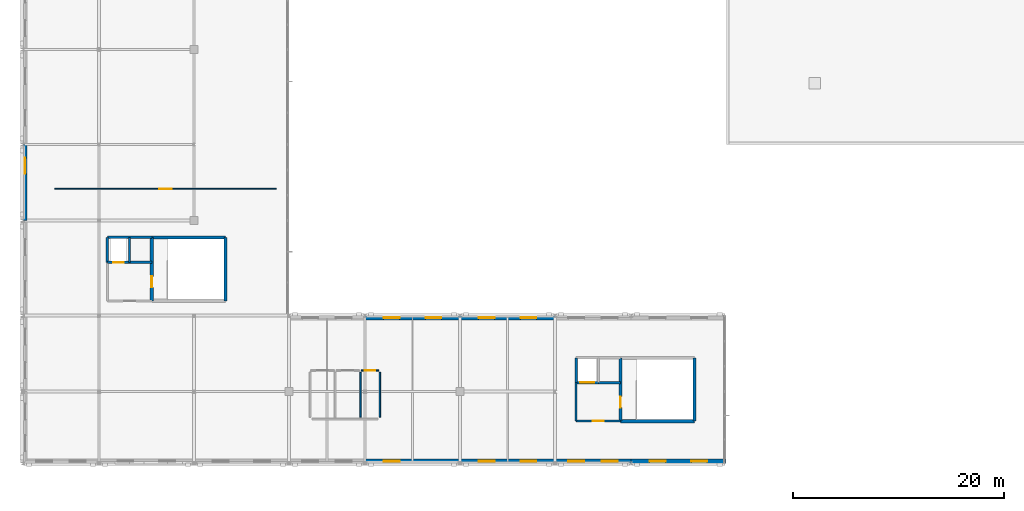
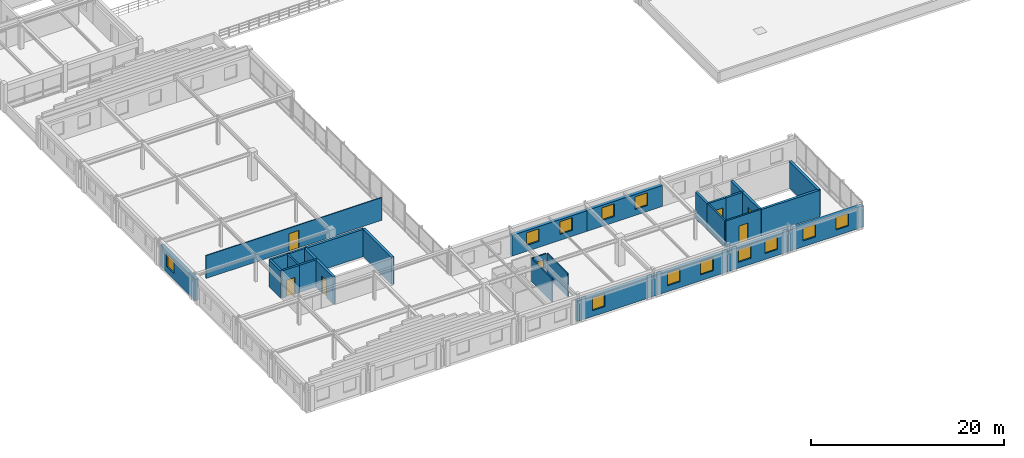
# One storey, part 47 of 74: 27 walls, 12 windows, 7 doors, 19 openings.
"""IFC4 building model written with IfcOpenShell, lengths in metres."""

import ifcopenshell
import ifcopenshell.guid

model = None  # the IFC model being written
_history = None  # IfcOwnerHistory: only IFC2X3 demands one
_inside = {}  # id of a spatial element -> (the spatial element, [elements in it])
_under = {}  # id of a project, library or spatial element -> (it, [spatial elements below it])
_declared = {}  # id of a project -> (the project, [libraries it declares])
_typed = {}  # id of a type object -> (the type object, [elements of that type])
_made_of = {}  # id of a material, layer set ... -> (it, [elements and type objects made of it])


def new_model(schema):
    """Start an empty IFC model of exactly this schema.

    Asked for "IFC4X3", IfcOpenShell would pick the latest addendum, in which some entities
    have other attributes; the version numbers below select the first issue.
    IFC2X3 requires an IfcOwnerHistory on every rooted entity: one is made here for all.
    """
    global model, _history
    if schema == "IFC4X3":
        model = ifcopenshell.file(schema_version=(4, 3, 0, 0))
    else:
        model = ifcopenshell.file(schema=schema)
    _inside.clear()
    _under.clear()
    _declared.clear()
    _typed.clear()
    _made_of.clear()
    _history = None
    if model.schema == "IFC2X3":
        org = make("IfcOrganization", Name="unknown")
        user = make(
            "IfcPersonAndOrganization",
            ThePerson=make("IfcPerson", FamilyName="unknown"),
            TheOrganization=org,
        )
        app = make(
            "IfcApplication",
            ApplicationDeveloper=org,
            Version="unknown",
            ApplicationFullName="unknown",
            ApplicationIdentifier="unknown",
        )
        _history = make(
            "IfcOwnerHistory",
            OwningUser=user,
            OwningApplication=app,
            ChangeAction="ADDED",
            CreationDate=0,
        )
    return model


def make(cls, **values):
    """One entity of the class cls with the attributes given. An attribute that is None is left unset."""
    return model.create_entity(
        cls, **{name: value for name, value in values.items() if value is not None}
    )


def rooted(cls, **values):
    """An entity with a GlobalId (a new one), such as an element, a storey or a relation."""
    return make(cls, GlobalId=ifcopenshell.guid.new(), OwnerHistory=_history, **values)


def si_unit(unit_type, name, prefix=None):
    """IfcSIUnit, for example si_unit("LENGTHUNIT", "METRE", prefix="MILLI")."""
    return make("IfcSIUnit", UnitType=unit_type, Prefix=prefix, Name=name)


def assignment(units):
    """IfcUnitAssignment: the units of a project."""
    return None if units is None else make("IfcUnitAssignment", Units=units)


def point(xyz):
    """IfcCartesianPoint."""
    return None if xyz is None else make("IfcCartesianPoint", Coordinates=xyz)


def direction(xyz):
    """IfcDirection."""
    return None if xyz is None else make("IfcDirection", DirectionRatios=xyz)


def frame(location, z_axis=None, x_axis=None):
    """IfcAxis2Placement3D, a coordinate frame: its origin and axes. An axis left out is left unset."""
    return make(
        "IfcAxis2Placement3D",
        Location=point(location),
        Axis=direction(z_axis),
        RefDirection=direction(x_axis),
    )


def frame_2d(location, x_axis=None):
    """IfcAxis2Placement2D, a coordinate frame in the plane: its origin and x axis."""
    return make(
        "IfcAxis2Placement2D", Location=point(location), RefDirection=direction(x_axis)
    )


def origin():
    """The frame at (0, 0, 0) with its axes left unset."""
    return frame((0.0, 0.0, 0.0))


def place(relative_to, where):
    """IfcLocalPlacement: puts the frame where relative to a parent placement (None: the world)."""
    return make(
        "IfcLocalPlacement", PlacementRelTo=relative_to, RelativePlacement=where
    )


def context(
    kind, dimensions, precision=None, world=None, true_north=None, identifier=None
):
    """IfcGeometricRepresentationContext, for example the 3D "Model" context."""
    return make(
        "IfcGeometricRepresentationContext",
        ContextIdentifier=identifier,
        ContextType=kind,
        CoordinateSpaceDimension=dimensions,
        Precision=precision,
        WorldCoordinateSystem=world,
        TrueNorth=true_north,
    )


def subcontext(parent, identifier, kind, view, scale=None):
    """IfcGeometricRepresentationSubContext, for example "Body" below "Model"."""
    return make(
        "IfcGeometricRepresentationSubContext",
        ContextIdentifier=identifier,
        ContextType=kind,
        ParentContext=parent,
        TargetScale=scale,
        TargetView=view,
    )


def project(units=None, contexts=None):
    """IfcProject with its units and contexts."""
    return rooted(
        "IfcProject",
        Name="project",
        RepresentationContexts=contexts,
        UnitsInContext=assignment(units),
    )


def spatial(cls, under=None, at=None, **own):
    """A site, building, storey or space (cls), placed at a placement, below another one or the project."""
    s = rooted(cls, ObjectPlacement=at, **own)
    if under is not None:
        _under.setdefault(under.id(), (under, []))[1].append(s)
    return s


def profile(cls, at=None, kind="AREA", **sizes):
    """A parametric profile (cls). Its sizes go by their IFC names, for example OverallWidth=200.0."""
    return make(cls, ProfileType=kind, Position=at, **sizes)


def rectangle(**sizes):
    """IfcRectangleProfileDef."""
    return profile("IfcRectangleProfileDef", **sizes)


def extrude(swept, where, along, depth):
    """IfcExtrudedAreaSolid: the profile swept, set in the frame where, extruded along a direction by depth."""
    return make(
        "IfcExtrudedAreaSolid",
        SweptArea=swept,
        Position=where,
        ExtrudedDirection=direction(along),
        Depth=depth,
    )


def shape(context_of_items, identifier, shape_type, items):
    """IfcShapeRepresentation: the items that make up one representation, for example the "Body"."""
    return make(
        "IfcShapeRepresentation",
        ContextOfItems=context_of_items,
        RepresentationIdentifier=identifier,
        RepresentationType=shape_type,
        Items=items,
    )


def material(Name=None, Category=None):
    """IfcMaterial."""
    return make("IfcMaterial", Name=Name, Category=Category)


def layer(
    of_material, thickness, ventilated=None, Name=None, Category=None, Priority=None
):
    """IfcMaterialLayer: one layer of a wall or slab, of a material (None: an air gap)."""
    return make(
        "IfcMaterialLayer",
        Material=of_material,
        LayerThickness=thickness,
        IsVentilated=ventilated,
        Name=Name,
        Category=Category,
        Priority=Priority,
    )


def layer_set(layers, Name=None):
    """IfcMaterialLayerSet."""
    return make("IfcMaterialLayerSet", MaterialLayers=layers, LayerSetName=Name)


def made_of(thing, what):
    """Note that an element or type object is made of a material, layer set ...; save() writes the relation."""
    if what is not None:
        _made_of.setdefault(what.id(), (what, []))[1].append(thing)
    return thing


def type_object(cls, material=None, **own):
    """A type object (cls), such as IfcWallType, which elements share."""
    return made_of(rooted(cls, **own), material)


def element(
    cls,
    number,
    at=None,
    inside=None,
    cuts=None,
    type_object=None,
    material=None,
    context=None,
    identifier="Body",
    shape_type=None,
    held_by="IfcProductDefinitionShape",
    body=None,
    shapes=None,
    **own,
):
    """One element of the class cls, such as IfcWall. Its Tag is "e" and its number.

    at: its placement. inside: the storey or other place that contains it. cuts: it is an
    opening in that element (IfcRelVoidsElement). A single representation is given by context,
    identifier, shape_type and body (its items); several are given by shapes. held_by: the class
    of the entity that holds the representations. save() writes the other relations.
    """
    e = rooted(cls, Tag="e%d" % number, ObjectPlacement=at, **own)
    if body is not None:
        shapes = [shape(context, identifier, shape_type, body)]
    if shapes is not None:
        e.Representation = make(held_by, Representations=shapes)
    if inside is not None:
        _inside.setdefault(inside.id(), (inside, []))[1].append(e)
    if cuts is not None:
        rooted(
            "IfcRelVoidsElement", RelatingBuildingElement=cuts, RelatedOpeningElement=e
        )
    if type_object is not None:
        _typed.setdefault(type_object.id(), (type_object, []))[1].append(e)
    return made_of(e, material)


def fill(opening, filler):
    """IfcRelFillsElement: the door or window that sits in an opening."""
    return rooted(
        "IfcRelFillsElement",
        RelatingOpeningElement=opening,
        RelatedBuildingElement=filler,
    )


def aggregate(whole, parts):
    """IfcRelAggregates: a whole, such as a stair, and the parts it consists of."""
    return rooted("IfcRelAggregates", RelatingObject=whole, RelatedObjects=parts)


def save(model, path):
    """Write the relations noted so far, then the file.

    IfcRelAggregates (storeys below a building ...), IfcRelContainedInSpatialStructure (elements
    in a storey), IfcRelDefinesByType, IfcRelAssociatesMaterial and IfcRelDeclares: one each for
    every whole, place, type object, material and project.
    """
    for whole, parts in _under.values():
        aggregate(whole, parts)
    for where, things in _inside.values():
        rooted(
            "IfcRelContainedInSpatialStructure",
            RelatedElements=things,
            RelatingStructure=where,
        )
    for kind, things in _typed.values():
        rooted("IfcRelDefinesByType", RelatedObjects=things, RelatingType=kind)
    for what, things in _made_of.values():
        rooted("IfcRelAssociatesMaterial", RelatedObjects=things, RelatingMaterial=what)
    for by, libraries in _declared.values():
        rooted("IfcRelDeclares", RelatingContext=by, RelatedDefinitions=libraries)
    model.write(path)


model = new_model("IFC4")

# Units and contexts
model_context = context("Model", 3, precision=1e-05, world=origin(), true_north=direction((0.0, 1.0)))
body_context = subcontext(model_context, "Body", "Model", "MODEL_VIEW")
ifc_project = project(units=[si_unit("LENGTHUNIT", "METRE"), si_unit("AREAUNIT", "SQUARE_METRE"), si_unit("VOLUMEUNIT", "CUBIC_METRE"), si_unit("PLANEANGLEUNIT", "RADIAN"), si_unit("MASSUNIT", "GRAM", prefix="KILO")], contexts=[model_context])

# Site, building, storey
site_placement = place(None, origin())
site = spatial("IfcSite", under=ifc_project, at=site_placement, CompositionType="ELEMENT")
building_placement = place(site_placement, origin())
building = spatial("IfcBuilding", under=site, at=building_placement, Name="Clarverna Civic Hall", CompositionType="ELEMENT")
storey_placement = place(building_placement, frame((0.0, 0.0, 13.199951171875)))
storey = spatial("IfcBuildingStorey", under=building, at=storey_placement, Name="L03", CompositionType="ELEMENT", Elevation=13.199951171875)

# Wall, openings, windows
ifc_material_1 = material(Name="Montjuic Limestone Ashlar Cladding", Category="masonry")
ifc_layer_1 = layer(ifc_material_1, 0.39990234375)
ifc_layer_set_1 = layer_set([ifc_layer_1], Name="Montjuic Limestone Ashlar Cladding")
wall_type_1 = type_object("IfcWallType", Name="EW-02", PredefinedType="SOLIDWALL", material=ifc_layer_set_1)
wall_1_placement = place(storey_placement, frame((66.574951171875, 0.199951171875, 0.0), z_axis=(0.0, 0.0, 1.0), x_axis=(-1.0, 0.0, 0.0)))
wall_1 = element("IfcWall", 1, at=wall_1_placement, inside=storey, type_object=wall_type_1, Name="EW-02-192", PredefinedType="SOLIDWALL", context=body_context, shape_type="SweptSolid", body=[
    extrude(rectangle(XDim=8.974853515625, YDim=0.39990234375, at=frame_2d((4.4873046875, 0.0))), origin(), (0.0, 0.0, 1.0), 2.719970703125),
])
opening_1_placement = place(wall_1_placement, frame((1.762939453125, 0.0, 0.75)))
opening_1 = element("IfcOpeningElement", 2, at=opening_1_placement, cuts=wall_1, Name="Opening WN-14", PredefinedType="OPENING", context=body_context, shape_type="SweptSolid", body=[
    extrude(rectangle(XDim=1.5, YDim=1.60009765625, at=frame_2d((0.75, 0.800048828125))), frame((0.0, 0.2099609375, 0.0), z_axis=(0.0, -1.0, 0.0), x_axis=(1.0, 0.0, 0.0)), (0.0, 0.0, 1.0), 0.419921875),
])
opening_2_placement = place(wall_1_placement, frame((5.7119140625, 0.0, 0.75)))
opening_2 = element("IfcOpeningElement", 3, at=opening_2_placement, cuts=wall_1, Name="Opening WN-14", PredefinedType="OPENING", context=body_context, shape_type="SweptSolid", body=[
    extrude(rectangle(XDim=1.5, YDim=1.60009765625, at=frame_2d((0.75, 0.800048828125))), frame((0.0, 0.2099609375, 0.0), z_axis=(0.0, -1.0, 0.0), x_axis=(1.0, 0.0, 0.0)), (0.0, 0.0, 1.0), 0.419921875),
])
ifc_material_2 = material(Name="Solar-Control Argon Low-E Double Glazing", Category="glass")
window_type = type_object("IfcWindowType", Name="WN-14", PartitioningType="DOUBLE_PANEL_HORIZONTAL", PredefinedType="WINDOW", material=ifc_material_2)
window_1_placement = place(opening_1_placement, origin())
window_1 = element("IfcWindow", 4, at=window_1_placement, inside=storey, type_object=window_type, Name="WN-14-182", OverallHeight=1.60009765625, OverallWidth=1.5, PartitioningType="DOUBLE_PANEL_HORIZONTAL", PredefinedType="WINDOW", context=body_context, shape_type="SweptSolid", body=[
    extrude(rectangle(XDim=1.5, YDim=1.60009765625, at=frame_2d((0.75, 0.800048828125))), frame((0.0, 0.030029296875, 0.0), z_axis=(0.0, -1.0, 0.0), x_axis=(1.0, 0.0, 0.0)), (0.0, 0.0, 1.0), 0.06005859375),
])
fill(opening_1, window_1)
window_2_placement = place(opening_2_placement, origin())
window_2 = element("IfcWindow", 5, at=window_2_placement, inside=storey, type_object=window_type, Name="WN-14-183", OverallHeight=1.60009765625, OverallWidth=1.5, PartitioningType="DOUBLE_PANEL_HORIZONTAL", PredefinedType="WINDOW", context=body_context, shape_type="SweptSolid", body=[
    extrude(rectangle(XDim=1.5, YDim=1.60009765625, at=frame_2d((0.75, 0.800048828125))), frame((0.0, 0.030029296875, 0.0), z_axis=(0.0, -1.0, 0.0), x_axis=(1.0, 0.0, 0.0)), (0.0, 0.0, 1.0), 0.06005859375),
])
fill(opening_2, window_2)

wall_2_placement = place(storey_placement, frame((57.60009765625, 0.199951171875, 0.0), z_axis=(0.0, 0.0, 1.0), x_axis=(-1.0, 0.0, 0.0)))
wall_2 = element("IfcWall", 6, at=wall_2_placement, inside=storey, type_object=wall_type_1, Name="EW-02-193", PredefinedType="SOLIDWALL", context=body_context, shape_type="SweptSolid", body=[
    extrude(rectangle(XDim=7.2001953125, YDim=0.39990234375, at=frame_2d((3.60009765625, 0.0))), origin(), (0.0, 0.0, 1.0), 2.66015625),
])
opening_3_placement = place(wall_2_placement, frame((1.26611328125, 0.0, 0.75)))
opening_3 = element("IfcOpeningElement", 7, at=opening_3_placement, cuts=wall_2, Name="Opening WN-14", PredefinedType="OPENING", context=body_context, shape_type="SweptSolid", body=[
    extrude(rectangle(XDim=1.5, YDim=1.60009765625, at=frame_2d((0.75, 0.800048828125))), frame((0.0, 0.2099609375, 0.0), z_axis=(0.0, -1.0, 0.0), x_axis=(1.0, 0.0, 0.0)), (0.0, 0.0, 1.0), 0.419921875),
])
opening_4_placement = place(wall_2_placement, frame((4.43408203125, 0.0, 0.75)))
opening_4 = element("IfcOpeningElement", 8, at=opening_4_placement, cuts=wall_2, Name="Opening WN-14", PredefinedType="OPENING", context=body_context, shape_type="SweptSolid", body=[
    extrude(rectangle(XDim=1.5, YDim=1.60009765625, at=frame_2d((0.75, 0.800048828125))), frame((0.0, 0.2099609375, 0.0), z_axis=(0.0, -1.0, 0.0), x_axis=(1.0, 0.0, 0.0)), (0.0, 0.0, 1.0), 0.419921875),
])
window_3_placement = place(opening_3_placement, origin())
window_3 = element("IfcWindow", 9, at=window_3_placement, inside=storey, type_object=window_type, Name="WN-14-184", OverallHeight=1.60009765625, OverallWidth=1.5, PartitioningType="DOUBLE_PANEL_HORIZONTAL", PredefinedType="WINDOW", context=body_context, shape_type="SweptSolid", body=[
    extrude(rectangle(XDim=1.5, YDim=1.60009765625, at=frame_2d((0.75, 0.800048828125))), frame((0.0, 0.030029296875, 0.0), z_axis=(0.0, -1.0, 0.0), x_axis=(1.0, 0.0, 0.0)), (0.0, 0.0, 1.0), 0.06005859375),
])
fill(opening_3, window_3)
window_4_placement = place(opening_4_placement, origin())
window_4 = element("IfcWindow", 10, at=window_4_placement, inside=storey, type_object=window_type, Name="WN-14-185", OverallHeight=1.60009765625, OverallWidth=1.5, PartitioningType="DOUBLE_PANEL_HORIZONTAL", PredefinedType="WINDOW", context=body_context, shape_type="SweptSolid", body=[
    extrude(rectangle(XDim=1.5, YDim=1.60009765625, at=frame_2d((0.75, 0.800048828125))), frame((0.0, 0.030029296875, 0.0), z_axis=(0.0, -1.0, 0.0), x_axis=(1.0, 0.0, 0.0)), (0.0, 0.0, 1.0), 0.06005859375),
])
fill(opening_4, window_4)

wall_3_placement = place(storey_placement, frame((50.39990234375, 0.199951171875, 0.0), z_axis=(0.0, 0.0, 1.0), x_axis=(-1.0, 0.0, 0.0)))
wall_3 = element("IfcWall", 11, at=wall_3_placement, inside=storey, type_object=wall_type_1, Name="EW-02-194", PredefinedType="SOLIDWALL", context=body_context, shape_type="SweptSolid", body=[
    extrude(rectangle(XDim=9.0, YDim=0.39990234375, at=frame_2d((4.5, 0.0))), origin(), (0.0, 0.0, 1.0), 2.6201171875),
])
opening_5_placement = place(wall_3_placement, frame((1.77001953125, 0.0, 0.75)))
opening_5 = element("IfcOpeningElement", 12, at=opening_5_placement, cuts=wall_3, Name="Opening WN-14", PredefinedType="OPENING", context=body_context, shape_type="SweptSolid", body=[
    extrude(rectangle(XDim=1.5, YDim=1.60009765625, at=frame_2d((0.75, 0.800048828125))), frame((0.0, 0.2099609375, 0.0), z_axis=(0.0, -1.0, 0.0), x_axis=(1.0, 0.0, 0.0)), (0.0, 0.0, 1.0), 0.419921875),
])
opening_6_placement = place(wall_3_placement, frame((5.72998046875, 0.0, 0.75)))
opening_6 = element("IfcOpeningElement", 13, at=opening_6_placement, cuts=wall_3, Name="Opening WN-14", PredefinedType="OPENING", context=body_context, shape_type="SweptSolid", body=[
    extrude(rectangle(XDim=1.5, YDim=1.60009765625, at=frame_2d((0.75, 0.800048828125))), frame((0.0, 0.2099609375, 0.0), z_axis=(0.0, -1.0, 0.0), x_axis=(1.0, 0.0, 0.0)), (0.0, 0.0, 1.0), 0.419921875),
])
window_5_placement = place(opening_5_placement, origin())
window_5 = element("IfcWindow", 14, at=window_5_placement, inside=storey, type_object=window_type, Name="WN-14-186", OverallHeight=1.60009765625, OverallWidth=1.5, PartitioningType="DOUBLE_PANEL_HORIZONTAL", PredefinedType="WINDOW", context=body_context, shape_type="SweptSolid", body=[
    extrude(rectangle(XDim=1.5, YDim=1.60009765625, at=frame_2d((0.75, 0.800048828125))), frame((0.0, 0.030029296875, 0.0), z_axis=(0.0, -1.0, 0.0), x_axis=(1.0, 0.0, 0.0)), (0.0, 0.0, 1.0), 0.06005859375),
])
fill(opening_5, window_5)
window_6_placement = place(opening_6_placement, origin())
window_6 = element("IfcWindow", 15, at=window_6_placement, inside=storey, type_object=window_type, Name="WN-14-187", OverallHeight=1.60009765625, OverallWidth=1.5, PartitioningType="DOUBLE_PANEL_HORIZONTAL", PredefinedType="WINDOW", context=body_context, shape_type="SweptSolid", body=[
    extrude(rectangle(XDim=1.5, YDim=1.60009765625, at=frame_2d((0.75, 0.800048828125))), frame((0.0, 0.030029296875, 0.0), z_axis=(0.0, -1.0, 0.0), x_axis=(1.0, 0.0, 0.0)), (0.0, 0.0, 1.0), 0.06005859375),
])
fill(opening_6, window_6)

# Wall, opening, window
wall_4_placement = place(storey_placement, frame((41.39990234375, 0.199951171875, 0.0), z_axis=(0.0, 0.0, 1.0), x_axis=(-1.0, 0.0, 0.0)))
wall_4 = element("IfcWall", 16, at=wall_4_placement, inside=storey, type_object=wall_type_1, Name="EW-02-195", PredefinedType="SOLIDWALL", context=body_context, shape_type="SweptSolid", body=[
    extrude(rectangle(XDim=9.0, YDim=0.39990234375, at=frame_2d((4.5, 0.0))), origin(), (0.0, 0.0, 1.0), 2.6201171875),
])
opening_7_placement = place(wall_4_placement, frame((5.72998046875, 0.0, 0.75)))
opening_7 = element("IfcOpeningElement", 17, at=opening_7_placement, cuts=wall_4, Name="Opening WN-14", PredefinedType="OPENING", context=body_context, shape_type="SweptSolid", body=[
    extrude(rectangle(XDim=1.5, YDim=1.60009765625, at=frame_2d((0.75, 0.800048828125))), frame((0.0, 0.2099609375, 0.0), z_axis=(0.0, -1.0, 0.0), x_axis=(1.0, 0.0, 0.0)), (0.0, 0.0, 1.0), 0.419921875),
])
window_7_placement = place(opening_7_placement, origin())
window_7 = element("IfcWindow", 18, at=window_7_placement, inside=storey, type_object=window_type, Name="WN-14-188", OverallHeight=1.60009765625, OverallWidth=1.5, PartitioningType="DOUBLE_PANEL_HORIZONTAL", PredefinedType="WINDOW", context=body_context, shape_type="SweptSolid", body=[
    extrude(rectangle(XDim=1.5, YDim=1.60009765625, at=frame_2d((0.75, 0.800048828125))), frame((0.0, 0.030029296875, 0.0), z_axis=(0.0, -1.0, 0.0), x_axis=(1.0, 0.0, 0.0)), (0.0, 0.0, 1.0), 0.06005859375),
])
fill(opening_7, window_7)

wall_5_placement = place(storey_placement, frame((0.199951171875, 23.0, 0.0), z_axis=(0.0, 0.0, 1.0), x_axis=(0.0, 1.0, 0.0)))
wall_5 = element("IfcWall", 19, at=wall_5_placement, inside=storey, type_object=wall_type_1, Name="EW-02-203", PredefinedType="SOLIDWALL", context=body_context, shape_type="SweptSolid", body=[
    extrude(rectangle(XDim=7.199951171875, YDim=0.39990234375, at=frame_2d((3.60009765625, 0.0))), origin(), (0.0, 0.0, 1.0), 2.719970703125),
])
opening_8_placement = place(wall_5_placement, frame((4.43408203125, 0.0, 0.75)))
opening_8 = element("IfcOpeningElement", 20, at=opening_8_placement, cuts=wall_5, Name="Opening WN-14", PredefinedType="OPENING", context=body_context, shape_type="SweptSolid", body=[
    extrude(rectangle(XDim=1.5, YDim=1.60009765625, at=frame_2d((0.75, 0.800048828125))), frame((0.0, 0.2099609375, 0.0), z_axis=(0.0, -1.0, 0.0), x_axis=(1.0, 0.0, 0.0)), (0.0, 0.0, 1.0), 0.419921875),
])
window_8_placement = place(opening_8_placement, origin())
window_8 = element("IfcWindow", 21, at=window_8_placement, inside=storey, type_object=window_type, Name="WN-14-203", OverallHeight=1.60009765625, OverallWidth=1.5, PartitioningType="DOUBLE_PANEL_HORIZONTAL", PredefinedType="WINDOW", context=body_context, shape_type="SweptSolid", body=[
    extrude(rectangle(XDim=1.5, YDim=1.60009765625, at=frame_2d((0.75, 0.800048828125))), frame((0.0, 0.030029296875, 0.0), z_axis=(0.0, -1.0, 0.0), x_axis=(1.0, 0.0, 0.0)), (0.0, 0.0, 1.0), 0.06005859375),
])
fill(opening_8, window_8)

# Wall, openings, windows
wall_6_placement = place(storey_placement, frame((32.39990234375, 13.800048828125, 0.0), z_axis=(0.0, 0.0, 1.0), x_axis=(1.0, 0.0, 0.0)))
wall_6 = element("IfcWall", 22, at=wall_6_placement, inside=storey, type_object=wall_type_1, Name="EW-02-211", PredefinedType="SOLIDWALL", context=body_context, shape_type="SweptSolid", body=[
    extrude(rectangle(XDim=9.0, YDim=0.39990234375, at=frame_2d((4.5, 0.0))), origin(), (0.0, 0.0, 1.0), 2.6201171875),
])
opening_9_placement = place(wall_6_placement, frame((1.77001953125, 0.0, 0.75)))
opening_9 = element("IfcOpeningElement", 23, at=opening_9_placement, cuts=wall_6, Name="Opening WN-14", PredefinedType="OPENING", context=body_context, shape_type="SweptSolid", body=[
    extrude(rectangle(XDim=1.5, YDim=1.60009765625, at=frame_2d((0.75, 0.800048828125))), frame((0.0, 0.2099609375, 0.0), z_axis=(0.0, -1.0, 0.0), x_axis=(1.0, 0.0, 0.0)), (0.0, 0.0, 1.0), 0.419921875),
])
opening_10_placement = place(wall_6_placement, frame((5.72998046875, 0.0, 0.75)))
opening_10 = element("IfcOpeningElement", 24, at=opening_10_placement, cuts=wall_6, Name="Opening WN-14", PredefinedType="OPENING", context=body_context, shape_type="SweptSolid", body=[
    extrude(rectangle(XDim=1.5, YDim=1.60009765625, at=frame_2d((0.75, 0.800048828125))), frame((0.0, 0.2099609375, 0.0), z_axis=(0.0, -1.0, 0.0), x_axis=(1.0, 0.0, 0.0)), (0.0, 0.0, 1.0), 0.419921875),
])
window_9_placement = place(opening_9_placement, origin())
window_9 = element("IfcWindow", 25, at=window_9_placement, inside=storey, type_object=window_type, Name="WN-14-218", OverallHeight=1.60009765625, OverallWidth=1.5, PartitioningType="DOUBLE_PANEL_HORIZONTAL", PredefinedType="WINDOW", context=body_context, shape_type="SweptSolid", body=[
    extrude(rectangle(XDim=1.5, YDim=1.60009765625, at=frame_2d((0.75, 0.800048828125))), frame((0.0, 0.030029296875, 0.0), z_axis=(0.0, -1.0, 0.0), x_axis=(1.0, 0.0, 0.0)), (0.0, 0.0, 1.0), 0.06005859375),
])
fill(opening_9, window_9)
window_10_placement = place(opening_10_placement, origin())
window_10 = element("IfcWindow", 26, at=window_10_placement, inside=storey, type_object=window_type, Name="WN-14-219", OverallHeight=1.60009765625, OverallWidth=1.5, PartitioningType="DOUBLE_PANEL_HORIZONTAL", PredefinedType="WINDOW", context=body_context, shape_type="SweptSolid", body=[
    extrude(rectangle(XDim=1.5, YDim=1.60009765625, at=frame_2d((0.75, 0.800048828125))), frame((0.0, 0.030029296875, 0.0), z_axis=(0.0, -1.0, 0.0), x_axis=(1.0, 0.0, 0.0)), (0.0, 0.0, 1.0), 0.06005859375),
])
fill(opening_10, window_10)

wall_7_placement = place(storey_placement, frame((41.39990234375, 13.800048828125, 0.0), z_axis=(0.0, 0.0, 1.0), x_axis=(1.0, 0.0, 0.0)))
wall_7 = element("IfcWall", 27, at=wall_7_placement, inside=storey, type_object=wall_type_1, Name="EW-02-212", PredefinedType="SOLIDWALL", context=body_context, shape_type="SweptSolid", body=[
    extrude(rectangle(XDim=9.0, YDim=0.39990234375, at=frame_2d((4.5, 0.0))), origin(), (0.0, 0.0, 1.0), 2.66015625),
])
opening_11_placement = place(wall_7_placement, frame((1.77001953125, 0.0, 0.75)))
opening_11 = element("IfcOpeningElement", 28, at=opening_11_placement, cuts=wall_7, Name="Opening WN-14", PredefinedType="OPENING", context=body_context, shape_type="SweptSolid", body=[
    extrude(rectangle(XDim=1.5, YDim=1.60009765625, at=frame_2d((0.75, 0.800048828125))), frame((0.0, 0.2099609375, 0.0), z_axis=(0.0, -1.0, 0.0), x_axis=(1.0, 0.0, 0.0)), (0.0, 0.0, 1.0), 0.419921875),
])
opening_12_placement = place(wall_7_placement, frame((5.72998046875, 0.0, 0.75)))
opening_12 = element("IfcOpeningElement", 29, at=opening_12_placement, cuts=wall_7, Name="Opening WN-14", PredefinedType="OPENING", context=body_context, shape_type="SweptSolid", body=[
    extrude(rectangle(XDim=1.5, YDim=1.60009765625, at=frame_2d((0.75, 0.800048828125))), frame((0.0, 0.2099609375, 0.0), z_axis=(0.0, -1.0, 0.0), x_axis=(1.0, 0.0, 0.0)), (0.0, 0.0, 1.0), 0.419921875),
])
window_11_placement = place(opening_11_placement, origin())
window_11 = element("IfcWindow", 30, at=window_11_placement, inside=storey, type_object=window_type, Name="WN-14-220", OverallHeight=1.60009765625, OverallWidth=1.5, PartitioningType="DOUBLE_PANEL_HORIZONTAL", PredefinedType="WINDOW", context=body_context, shape_type="SweptSolid", body=[
    extrude(rectangle(XDim=1.5, YDim=1.60009765625, at=frame_2d((0.75, 0.800048828125))), frame((0.0, 0.030029296875, 0.0), z_axis=(0.0, -1.0, 0.0), x_axis=(1.0, 0.0, 0.0)), (0.0, 0.0, 1.0), 0.06005859375),
])
fill(opening_11, window_11)
window_12_placement = place(opening_12_placement, origin())
window_12 = element("IfcWindow", 31, at=window_12_placement, inside=storey, type_object=window_type, Name="WN-14-221", OverallHeight=1.60009765625, OverallWidth=1.5, PartitioningType="DOUBLE_PANEL_HORIZONTAL", PredefinedType="WINDOW", context=body_context, shape_type="SweptSolid", body=[
    extrude(rectangle(XDim=1.5, YDim=1.60009765625, at=frame_2d((0.75, 0.800048828125))), frame((0.0, 0.030029296875, 0.0), z_axis=(0.0, -1.0, 0.0), x_axis=(1.0, 0.0, 0.0)), (0.0, 0.0, 1.0), 0.06005859375),
])
fill(opening_12, window_12)

# Walls
ifc_material_3 = material(Name="Ceramic Brick and Plaster Wet-Room Partition", Category="masonry")
ifc_layer_2 = layer(ifc_material_3, 0.139892578125)
ifc_layer_set_2 = layer_set([ifc_layer_2], Name="Ceramic Brick and Plaster Wet-Room Partition")
wall_type_2 = type_object("IfcWallType", Name="PW-02", PredefinedType="PARTITIONING", material=ifc_layer_set_2)
wall_8_placement = place(storey_placement, frame((33.800048828125, 4.3798828125, 0.0), z_axis=(0.0, 0.0, 1.0), x_axis=(0.0, 1.0, 0.0)))
element("IfcWall", 32, at=wall_8_placement, inside=storey, type_object=wall_type_2, Name="PW-02-195", PredefinedType="PARTITIONING", context=body_context, shape_type="SweptSolid", body=[
    extrude(rectangle(XDim=4.240234375, YDim=0.139892578125, at=frame_2d((2.1201171875, 0.0))), origin(), (0.0, 0.0, 1.0), 2.93994140625),
])
wall_9_placement = place(storey_placement, frame((31.951904296875, 4.3798828125, 0.0), z_axis=(0.0, 0.0, 1.0), x_axis=(0.0, 1.0, 0.0)))
element("IfcWall", 33, at=wall_9_placement, inside=storey, type_object=wall_type_2, Name="PW-02-197", PredefinedType="PARTITIONING", context=body_context, shape_type="SweptSolid", body=[
    extrude(rectangle(XDim=4.240234375, YDim=0.139892578125, at=frame_2d((2.1201171875, 0.0))), origin(), (0.0, 0.0, 1.0), 2.89013671875),
])

# Wall, opening, door
wall_10_placement = place(storey_placement, frame((32.031982421875, 8.800048828125, 0.0), z_axis=(0.0, 0.0, 1.0), x_axis=(1.0, 0.0, 0.0)))
wall_10 = element("IfcWall", 34, at=wall_10_placement, inside=storey, type_object=wall_type_2, Name="PW-02-200", PredefinedType="PARTITIONING", context=body_context, shape_type="SweptSolid", body=[
    extrude(rectangle(XDim=1.68798828125, YDim=0.139892578125, at=frame_2d((0.843994140625, 0.0))), origin(), (0.0, 0.0, 1.0), 2.840087890625),
])
opening_13_placement = place(wall_10_placement, frame((0.343994140625, 0.0, 0.0)))
opening_13 = element("IfcOpeningElement", 35, at=opening_13_placement, cuts=wall_10, Name="Opening ID-02", PredefinedType="OPENING", context=body_context, shape_type="SweptSolid", body=[
    extrude(rectangle(XDim=1.0, YDim=2.14990234375, at=frame_2d((0.5, 1.074951171875))), frame((0.0, 0.079833984375, 0.0), z_axis=(0.0, -1.0, 0.0), x_axis=(1.0, 0.0, 0.0)), (0.0, 0.0, 1.0), 0.159912109375),
])
ifc_material_4 = material(Name="European Oak Veneered Acoustic Timber Door", Category="wood")
door_type_1 = type_object("IfcDoorType", Name="ID-02", OperationType="NOTDEFINED", PredefinedType="DOOR", material=ifc_material_4)
door_1_placement = place(opening_13_placement, origin())
door_1 = element("IfcDoor", 36, at=door_1_placement, inside=storey, type_object=door_type_1, Name="ID-02-075", OperationType="SINGLE_SWING_LEFT", OverallHeight=2.14990234375, OverallWidth=1.0, PredefinedType="DOOR", context=body_context, shape_type="SweptSolid", body=[
    extrude(rectangle(XDim=1.0, YDim=2.14990234375, at=frame_2d((0.5, 1.074951171875))), frame((0.0, 0.02490234375, 0.0), z_axis=(0.0, -1.0, 0.0), x_axis=(1.0, 0.0, 0.0)), (0.0, 0.0, 1.0), 0.050048828125),
])
fill(opening_13, door_1)

ifc_material_5 = material(Name="Gypsum Plasterboard Partition", Category="gypsum")
ifc_layer_3 = layer(ifc_material_5, 0.10009765625)
ifc_layer_set_3 = layer_set([ifc_layer_3], Name="Gypsum Plasterboard Partition")
wall_type_3 = type_object("IfcWallType", Name="PW-04", PredefinedType="PARTITIONING", material=ifc_layer_set_3)
wall_11_placement = place(storey_placement, frame((3.0, 26.0, 0.0), z_axis=(0.0, 0.0, 1.0), x_axis=(1.0, 0.0, 0.0)))
wall_11 = element("IfcWall", 37, at=wall_11_placement, inside=storey, type_object=wall_type_3, Name="PW-04-005", PredefinedType="PARTITIONING", context=body_context, shape_type="SweptSolid", body=[
    extrude(rectangle(XDim=21.0, YDim=0.10009765625, at=frame_2d((10.5, 0.0))), origin(), (0.0, 0.0, 1.0), 2.89013671875),
])
opening_14_placement = place(wall_11_placement, frame((9.925048828125, 0.0, 0.0)))
opening_14 = element("IfcOpeningElement", 38, at=opening_14_placement, cuts=wall_11, Name="Opening ID-03", PredefinedType="OPENING", context=body_context, shape_type="SweptSolid", body=[
    extrude(rectangle(XDim=1.14990234375, YDim=2.199951171875, at=frame_2d((0.574951171875, 1.10009765625))), frame((0.0, 0.06005859375, 0.0), z_axis=(0.0, -1.0, 0.0), x_axis=(1.0, 0.0, 0.0)), (0.0, 0.0, 1.0), 0.1201171875),
])
door_type_2 = type_object("IfcDoorType", Name="ID-03", OperationType="NOTDEFINED", PredefinedType="DOOR", material=ifc_material_4)
door_2_placement = place(opening_14_placement, origin())
door_2 = element("IfcDoor", 39, at=door_2_placement, inside=storey, type_object=door_type_2, Name="ID-03-005", OperationType="SINGLE_SWING_LEFT", OverallHeight=2.199951171875, OverallWidth=1.14990234375, PredefinedType="DOOR", context=body_context, shape_type="SweptSolid", body=[
    extrude(rectangle(XDim=1.14990234375, YDim=2.199951171875, at=frame_2d((0.574951171875, 1.10009765625))), frame((0.0, 0.02490234375, 0.0), z_axis=(0.0, -1.0, 0.0), x_axis=(1.0, 0.0, 0.0)), (0.0, 0.0, 1.0), 0.050048828125),
])
fill(opening_14, door_2)

# Wall
ifc_material_6 = material(Name="Acoustic Gypsum Plasterboard on Twin Frame", Category="gypsum")
ifc_layer_4 = layer(ifc_material_6, 0.18994140625)
ifc_layer_set_4 = layer_set([ifc_layer_4], Name="Acoustic Gypsum Plasterboard on Twin Frame")
wall_type_4 = type_object("IfcWallType", Name="PW-06", PredefinedType="PARTITIONING", material=ifc_layer_set_4)
wall_12_placement = place(storey_placement, frame((52.39990234375, 4.0, 0.0), z_axis=(0.0, 0.0, 1.0), x_axis=(0.0, 1.0, 0.0)))
element("IfcWall", 40, at=wall_12_placement, inside=storey, type_object=wall_type_4, Name="PW-06-077", PredefinedType="PARTITIONING", context=body_context, shape_type="SweptSolid", body=[
    extrude(rectangle(XDim=3.64990234375, YDim=0.18994140625, at=frame_2d((1.824951171875, 0.0))), origin(), (0.0, 0.0, 1.0), 3.340087890625),
])

# Wall, opening, door
wall_13_placement = place(storey_placement, frame((52.39990234375, 4.0, 0.0), z_axis=(0.0, 0.0, 1.0), x_axis=(1.0, 0.0, 0.0)))
wall_13 = element("IfcWall", 41, at=wall_13_placement, inside=storey, type_object=wall_type_4, Name="PW-06-078", PredefinedType="PARTITIONING", context=body_context, shape_type="SweptSolid", body=[
    extrude(rectangle(XDim=4.2001953125, YDim=0.18994140625, at=frame_2d((2.10009765625, 0.0))), origin(), (0.0, 0.0, 1.0), 3.340087890625),
])
opening_15_placement = place(wall_13_placement, frame((1.574951171875, 0.0, 0.0)))
opening_15 = element("IfcOpeningElement", 42, at=opening_15_placement, cuts=wall_13, Name="Opening FD-02", PredefinedType="OPENING", context=body_context, shape_type="SweptSolid", body=[
    extrude(rectangle(XDim=1.050048828125, YDim=2.14990234375, at=frame_2d((0.52490234375, 1.074951171875))), frame((0.0, 0.10498046875, 0.0), z_axis=(0.0, -1.0, 0.0), x_axis=(1.0, 0.0, 0.0)), (0.0, 0.0, 1.0), 0.2099609375),
])
ifc_material_7 = material(Name="Acoustic Timber-Faced Fire Door", Category="wood")
door_type_3 = type_object("IfcDoorType", Name="FD-02", OperationType="NOTDEFINED", PredefinedType="DOOR", material=ifc_material_7)
door_3_placement = place(opening_15_placement, origin())
door_3 = element("IfcDoor", 43, at=door_3_placement, inside=storey, type_object=door_type_3, Name="FD-02-072", OperationType="SINGLE_SWING_RIGHT", OverallHeight=2.14990234375, OverallWidth=1.050048828125, PredefinedType="DOOR", context=body_context, shape_type="SweptSolid", body=[
    extrude(rectangle(XDim=1.050048828125, YDim=2.14990234375, at=frame_2d((0.52490234375, 1.074951171875))), frame((0.0, 0.02490234375, 0.0), z_axis=(0.0, -1.0, 0.0), x_axis=(1.0, 0.0, 0.0)), (0.0, 0.0, 1.0), 0.050048828125),
])
fill(opening_15, door_3)

ifc_material_8 = material(Name="Concrete C35/45", Category="concrete")
ifc_layer_5 = layer(ifc_material_8, 0.300048828125)
ifc_layer_set_5 = layer_set([ifc_layer_5], Name="Concrete C35/45")
wall_type_5 = type_object("IfcWallType", Name="SW-03", PredefinedType="SHEAR", material=ifc_layer_set_5)
wall_14_placement = place(storey_placement, frame((56.60009765625, 4.0, 0.0), z_axis=(0.0, 0.0, 1.0), x_axis=(0.0, 1.0, 0.0)))
wall_14 = element("IfcWall", 44, at=wall_14_placement, inside=storey, type_object=wall_type_5, Name="SW-03-091", PredefinedType="SHEAR", context=body_context, shape_type="SweptSolid", body=[
    extrude(rectangle(XDim=6.0, YDim=0.300048828125, at=frame_2d((3.0, 0.0))), origin(), (0.0, 0.0, 1.0), 3.340087890625),
])
opening_16_placement = place(wall_14_placement, frame((1.27490234375, 0.0, 0.0)))
opening_16 = element("IfcOpeningElement", 45, at=opening_16_placement, cuts=wall_14, Name="Opening FD-02", PredefinedType="OPENING", context=body_context, shape_type="SweptSolid", body=[
    extrude(rectangle(XDim=1.050048828125, YDim=2.14990234375, at=frame_2d((0.52490234375, 1.074951171875))), frame((0.0, 0.159912109375, 0.0), z_axis=(0.0, -1.0, 0.0), x_axis=(1.0, 0.0, 0.0)), (0.0, 0.0, 1.0), 0.320068359375),
])
door_4_placement = place(opening_16_placement, origin())
door_4 = element("IfcDoor", 46, at=door_4_placement, inside=storey, type_object=door_type_3, Name="FD-02-071", OperationType="SINGLE_SWING_LEFT", OverallHeight=2.14990234375, OverallWidth=1.050048828125, PredefinedType="DOOR", context=body_context, shape_type="SweptSolid", body=[
    extrude(rectangle(XDim=1.050048828125, YDim=2.14990234375, at=frame_2d((0.52490234375, 1.074951171875))), frame((0.0, 0.02490234375, 0.0), z_axis=(0.0, -1.0, 0.0), x_axis=(1.0, 0.0, 0.0)), (0.0, 0.0, 1.0), 0.050048828125),
])
fill(opening_16, door_4)

# Walls
wall_15_placement = place(storey_placement, frame((63.60009765625, 4.0, 0.0), z_axis=(0.0, 0.0, 1.0), x_axis=(0.0, 1.0, 0.0)))
element("IfcWall", 47, at=wall_15_placement, inside=storey, type_object=wall_type_5, Name="SW-03-092", PredefinedType="SHEAR", context=body_context, shape_type="SweptSolid", body=[
    extrude(rectangle(XDim=6.0, YDim=0.300048828125, at=frame_2d((3.0, 0.0))), origin(), (0.0, 0.0, 1.0), 3.340087890625),
])
wall_16_placement = place(storey_placement, frame((56.60009765625, 4.0, 0.0), z_axis=(0.0, 0.0, 1.0), x_axis=(1.0, 0.0, 0.0)))
element("IfcWall", 48, at=wall_16_placement, inside=storey, type_object=wall_type_5, Name="SW-03-093", PredefinedType="SHEAR", context=body_context, shape_type="SweptSolid", body=[
    extrude(rectangle(XDim=7.0, YDim=0.300048828125, at=frame_2d((3.5, 0.0))), origin(), (0.0, 0.0, 1.0), 3.340087890625),
])
wall_17_placement = place(storey_placement, frame((52.39990234375, 7.64990234375, 0.0), z_axis=(0.0, 0.0, 1.0), x_axis=(0.0, 1.0, 0.0)))
element("IfcWall", 49, at=wall_17_placement, inside=storey, type_object=wall_type_5, Name="SW-03-096", PredefinedType="SHEAR", context=body_context, shape_type="SweptSolid", body=[
    extrude(rectangle(XDim=2.35009765625, YDim=0.239990234375, at=frame_2d((1.175048828125, 0.0))), origin(), (0.0, 0.0, 1.0), 3.340087890625),
])

# Wall, opening, door
wall_18_placement = place(storey_placement, frame((52.39990234375, 7.64990234375, 0.0), z_axis=(0.0, 0.0, 1.0), x_axis=(1.0, 0.0, 0.0)))
wall_18 = element("IfcWall", 50, at=wall_18_placement, inside=storey, type_object=wall_type_5, Name="SW-03-098", PredefinedType="SHEAR", context=body_context, shape_type="SweptSolid", body=[
    extrude(rectangle(XDim=2.10009765625, YDim=0.239990234375, at=frame_2d((1.050048828125, 0.0))), origin(), (0.0, 0.0, 1.0), 3.340087890625),
])
opening_17_placement = place(wall_18_placement, frame((0.375, 0.0, 0.0)))
opening_17 = element("IfcOpeningElement", 51, at=opening_17_placement, cuts=wall_18, Name="Opening LD-02", PredefinedType="OPENING", context=body_context, shape_type="SweptSolid", body=[
    extrude(rectangle(XDim=1.35009765625, YDim=2.199951171875, at=frame_2d((0.675048828125, 1.10009765625))), frame((0.0, 0.1298828125, 0.0), z_axis=(0.0, -1.0, 0.0), x_axis=(1.0, 0.0, 0.0)), (0.0, 0.0, 1.0), 0.260009765625),
])
ifc_material_9 = material(Name="Brushed Bronze Stainless Lift Landing Door")
door_type_4 = type_object("IfcDoorType", Name="LD-02", OperationType="SLIDING_TO_RIGHT", PredefinedType="DOOR", material=ifc_material_9)
door_5_placement = place(opening_17_placement, origin())
door_5 = element("IfcDoor", 52, at=door_5_placement, inside=storey, type_object=door_type_4, Name="LD-02-011", OperationType="SLIDING_TO_RIGHT", OverallHeight=2.199951171875, OverallWidth=1.35009765625, PredefinedType="DOOR", context=body_context, shape_type="SweptSolid", body=[
    extrude(rectangle(XDim=1.35009765625, YDim=2.199951171875, at=frame_2d((0.675048828125, 1.10009765625))), frame((0.0, 0.02490234375, 0.0), z_axis=(0.0, -1.0, 0.0), x_axis=(1.0, 0.0, 0.0)), (0.0, 0.0, 1.0), 0.050048828125),
])
fill(opening_17, door_5)

# Wall
wall_19_placement = place(storey_placement, frame((54.5, 7.64990234375, 0.0), z_axis=(0.0, 0.0, 1.0), x_axis=(1.0, 0.0, 0.0)))
element("IfcWall", 53, at=wall_19_placement, inside=storey, type_object=wall_type_5, Name="SW-03-099", PredefinedType="SHEAR", context=body_context, shape_type="SweptSolid", body=[
    extrude(rectangle(XDim=2.10009765625, YDim=0.239990234375, at=frame_2d((1.050048828125, 0.0))), origin(), (0.0, 0.0, 1.0), 3.340087890625),
])

# Wall, opening, door
wall_20_placement = place(storey_placement, frame((12.199951171875, 15.39990234375, 0.0), z_axis=(0.0, 0.0, 1.0), x_axis=(0.0, 1.0, 0.0)))
wall_20 = element("IfcWall", 54, at=wall_20_placement, inside=storey, type_object=wall_type_5, Name="SW-03-136", PredefinedType="SHEAR", context=body_context, shape_type="SweptSolid", body=[
    extrude(rectangle(XDim=6.0, YDim=0.300048828125, at=frame_2d((3.0, 0.0))), origin(), (0.0, 0.0, 1.0), 3.43994140625),
])
opening_18_placement = place(wall_20_placement, frame((1.27490234375, 0.0, 0.0)))
opening_18 = element("IfcOpeningElement", 55, at=opening_18_placement, cuts=wall_20, Name="Opening FD-02", PredefinedType="OPENING", context=body_context, shape_type="SweptSolid", body=[
    extrude(rectangle(XDim=1.050048828125, YDim=2.14990234375, at=frame_2d((0.52490234375, 1.074951171875))), frame((0.0, 0.159912109375, 0.0), z_axis=(0.0, -1.0, 0.0), x_axis=(1.0, 0.0, 0.0)), (0.0, 0.0, 1.0), 0.320068359375),
])
door_6_placement = place(opening_18_placement, origin())
door_6 = element("IfcDoor", 56, at=door_6_placement, inside=storey, type_object=door_type_3, Name="FD-02-080", OperationType="SINGLE_SWING_LEFT", OverallHeight=2.14990234375, OverallWidth=1.050048828125, PredefinedType="DOOR", context=body_context, shape_type="SweptSolid", body=[
    extrude(rectangle(XDim=1.050048828125, YDim=2.14990234375, at=frame_2d((0.52490234375, 1.074951171875))), frame((0.0, 0.02490234375, 0.0), z_axis=(0.0, -1.0, 0.0), x_axis=(1.0, 0.0, 0.0)), (0.0, 0.0, 1.0), 0.050048828125),
])
fill(opening_18, door_6)

# Walls
wall_21_placement = place(storey_placement, frame((19.199951171875, 15.39990234375, 0.0), z_axis=(0.0, 0.0, 1.0), x_axis=(0.0, 1.0, 0.0)))
element("IfcWall", 57, at=wall_21_placement, inside=storey, type_object=wall_type_5, Name="SW-03-137", PredefinedType="SHEAR", context=body_context, shape_type="SweptSolid", body=[
    extrude(rectangle(XDim=6.0, YDim=0.300048828125, at=frame_2d((3.0, 0.0))), origin(), (0.0, 0.0, 1.0), 3.43994140625),
])
wall_22_placement = place(storey_placement, frame((12.199951171875, 21.39990234375, 0.0), z_axis=(0.0, 0.0, 1.0), x_axis=(1.0, 0.0, 0.0)))
element("IfcWall", 58, at=wall_22_placement, inside=storey, type_object=wall_type_5, Name="SW-03-139", PredefinedType="SHEAR", context=body_context, shape_type="SweptSolid", body=[
    extrude(rectangle(XDim=7.0, YDim=0.300048828125, at=frame_2d((3.5, 0.0))), origin(), (0.0, 0.0, 1.0), 3.43994140625),
])
wall_23_placement = place(storey_placement, frame((8.0, 21.39990234375, 0.0), z_axis=(0.0, 0.0, 1.0), x_axis=(1.0, 0.0, 0.0)))
element("IfcWall", 59, at=wall_23_placement, inside=storey, type_object=wall_type_5, Name="SW-03-140", PredefinedType="SHEAR", context=body_context, shape_type="SweptSolid", body=[
    extrude(rectangle(XDim=4.199951171875, YDim=0.239990234375, at=frame_2d((2.10009765625, 0.0))), origin(), (0.0, 0.0, 1.0), 3.43994140625),
])
wall_24_placement = place(storey_placement, frame((8.0, 19.050048828125, 0.0), z_axis=(0.0, 0.0, 1.0), x_axis=(0.0, 1.0, 0.0)))
element("IfcWall", 60, at=wall_24_placement, inside=storey, type_object=wall_type_5, Name="SW-03-141", PredefinedType="SHEAR", context=body_context, shape_type="SweptSolid", body=[
    extrude(rectangle(XDim=2.349853515625, YDim=0.239990234375, at=frame_2d((1.1748046875, 0.0))), origin(), (0.0, 0.0, 1.0), 3.43994140625),
])
wall_25_placement = place(storey_placement, frame((10.10009765625, 19.050048828125, 0.0), z_axis=(0.0, 0.0, 1.0), x_axis=(0.0, 1.0, 0.0)))
element("IfcWall", 61, at=wall_25_placement, inside=storey, type_object=wall_type_5, Name="SW-03-142", PredefinedType="SHEAR", context=body_context, shape_type="SweptSolid", body=[
    extrude(rectangle(XDim=2.349853515625, YDim=0.199951171875, at=frame_2d((1.1748046875, 0.0))), origin(), (0.0, 0.0, 1.0), 3.43994140625),
])

# Wall, opening, door
wall_26_placement = place(storey_placement, frame((8.0, 19.050048828125, 0.0), z_axis=(0.0, 0.0, 1.0), x_axis=(1.0, 0.0, 0.0)))
wall_26 = element("IfcWall", 62, at=wall_26_placement, inside=storey, type_object=wall_type_5, Name="SW-03-143", PredefinedType="SHEAR", context=body_context, shape_type="SweptSolid", body=[
    extrude(rectangle(XDim=2.10009765625, YDim=0.239990234375, at=frame_2d((1.050048828125, 0.0))), origin(), (0.0, 0.0, 1.0), 3.43994140625),
])
opening_19_placement = place(wall_26_placement, frame((0.550048828125, 0.0, 0.0)))
opening_19 = element("IfcOpeningElement", 63, at=opening_19_placement, cuts=wall_26, Name="Opening LD-01", PredefinedType="OPENING", context=body_context, shape_type="SweptSolid", body=[
    extrude(rectangle(XDim=1.0, YDim=2.10009765625, at=frame_2d((0.5, 1.050048828125))), frame((0.0, 0.1298828125, 0.0), z_axis=(0.0, -1.0, 0.0), x_axis=(1.0, 0.0, 0.0)), (0.0, 0.0, 1.0), 0.260009765625),
])
door_type_5 = type_object("IfcDoorType", Name="LD-01", OperationType="SLIDING_TO_LEFT", PredefinedType="DOOR", material=ifc_material_9)
door_7_placement = place(opening_19_placement, origin())
door_7 = element("IfcDoor", 64, at=door_7_placement, inside=storey, type_object=door_type_5, Name="LD-01-063", OperationType="SLIDING_TO_LEFT", OverallHeight=2.10009765625, OverallWidth=1.0, PredefinedType="DOOR", context=body_context, shape_type="SweptSolid", body=[
    extrude(rectangle(XDim=1.0, YDim=2.10009765625, at=frame_2d((0.5, 1.050048828125))), frame((0.0, 0.02490234375, 0.0), z_axis=(0.0, -1.0, 0.0), x_axis=(1.0, 0.0, 0.0)), (0.0, 0.0, 1.0), 0.050048828125),
])
fill(opening_19, door_7)

# Wall
wall_27_placement = place(storey_placement, frame((10.10009765625, 19.050048828125, 0.0), z_axis=(0.0, 0.0, 1.0), x_axis=(1.0, 0.0, 0.0)))
element("IfcWall", 65, at=wall_27_placement, inside=storey, type_object=wall_type_5, Name="SW-03-144", PredefinedType="SHEAR", context=body_context, shape_type="SweptSolid", body=[
    extrude(rectangle(XDim=2.099853515625, YDim=0.239990234375, at=frame_2d((1.0498046875, 0.0))), origin(), (0.0, 0.0, 1.0), 3.43994140625),
])

save(model, "model.ifc")
